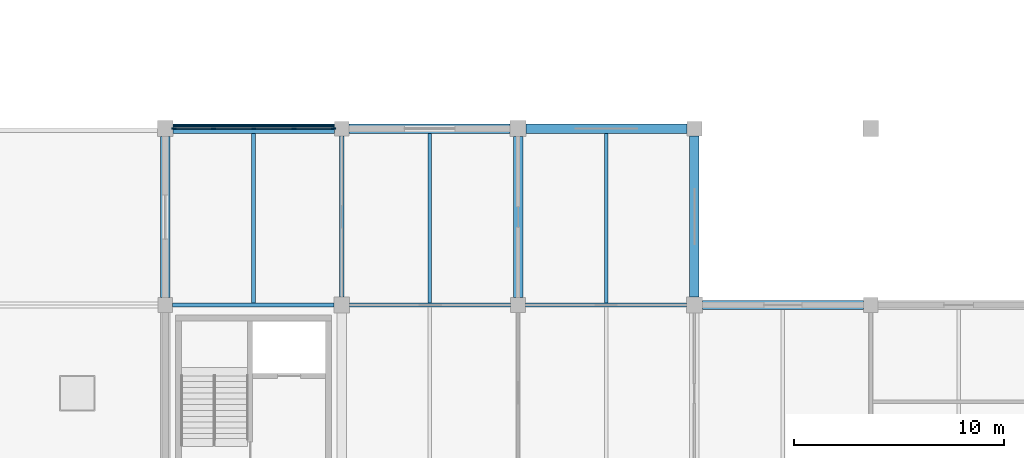
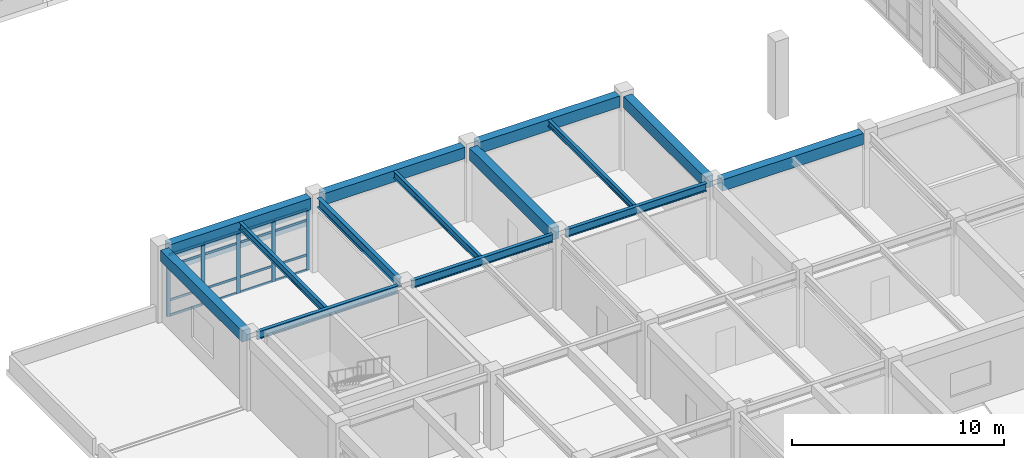
# One storey, part 10 of 78: 23 members, 14 beams, 1 element without a shape of its own.
"""IFC4 building model written with IfcOpenShell, lengths in metres."""

from ifc_helpers import new_model, si_unit, direction, frame, origin, origin_2d, place, context, subcontext, project, spatial, rectangle, i_section, extrude, material, layer, layer_set, material_profile, profile_set, type_object, element, aggregate, save


model = new_model("IFC4")

# Units and contexts
model_context = context("Model", 3, precision=1e-05, world=origin(), true_north=direction((0.0, 1.0)))
body_context = subcontext(model_context, "Body", "Model", "MODEL_VIEW")
ifc_project = project(units=[si_unit("LENGTHUNIT", "METRE"), si_unit("AREAUNIT", "SQUARE_METRE"), si_unit("VOLUMEUNIT", "CUBIC_METRE"), si_unit("PLANEANGLEUNIT", "RADIAN"), si_unit("MASSUNIT", "GRAM", prefix="KILO")], contexts=[model_context])

# Site, building, storey
site_placement = place(None, origin())
site = spatial("IfcSite", under=ifc_project, at=site_placement, CompositionType="ELEMENT")
building_placement = place(site_placement, origin())
building = spatial("IfcBuilding", under=site, at=building_placement, Name="Porcellanite Civic Hall", CompositionType="ELEMENT")
storey_placement = place(building_placement, frame((0.0, 0.0, 10.260009765625)))
storey = spatial("IfcBuildingStorey", under=building, at=storey_placement, Name="L02", CompositionType="ELEMENT", Elevation=10.260009765625)

# Beams
ifc_material_1 = material(Name="Concrete N50 (50 MPa)", Category="concrete")
ifc_material_profile_1 = material_profile(ifc_material_1, rectangle(XDim=0.449951171875, YDim=0.64990234375, at=origin_2d()), Name="RC-450x650")
ifc_profile_set_1 = profile_set([ifc_material_profile_1], Name="Concrete N50 (50 MPa)")
beam_type_1 = type_object("IfcBeamType", Name="BM-RC650", PredefinedType="SPANDREL", material=ifc_profile_set_1)
for number, where, z_axis, x_axis, name in (
    (1, (8.7744140625, 75.60009765625, 3.9150390625), (1.0, 0.0, 0.0), (0.0, 1.0, 0.0), "Beam X L02 2-10"),
    (2, (17.1494140625, 75.60009765625, 3.9150390625), (1.0, 0.0, 0.0), (0.0, 1.0, 0.0), "Beam X L02 3-10"),
    (3, (25.574462890625, 75.60009765625, 3.9150390625), (1.0, 0.0, 0.0), (0.0, 1.0, 0.0), "Beam X L02 4-10"),
):
    element("IfcBeam", number, at=place(storey_placement, frame(where, z_axis=z_axis, x_axis=x_axis)), inside=storey, type_object=beam_type_1, Name=name, PredefinedType="SPANDREL", context=body_context, shape_type="SweptSolid", body=[
        extrude(rectangle(XDim=0.449951171875, YDim=0.64990234375, at=origin_2d()), origin(), (0.0, 0.0, 1.0), 7.676025390625),
    ])
beam_1_placement = place(storey_placement, frame((33.974609375, 67.199951171875, 3.9150390625), z_axis=(1.0, 0.0, 0.0), x_axis=(0.0, 1.0, 0.0)))
element("IfcBeam", 4, at=beam_1_placement, inside=storey, type_object=beam_type_1, Name="Beam X L02 5-9", PredefinedType="SPANDREL", context=body_context, shape_type="SweptSolid", body=[
    extrude(rectangle(XDim=0.449951171875, YDim=0.64990234375, at=origin_2d()), origin(), (0.0, 0.0, 1.0), 7.67578125),
])
for number, where, z_axis, x_axis, name in (
    (5, (8.39990234375, 67.549560546875, 3.9150390625), (0.0, 1.0, 0.0), (-1.0, 0.0, 0.0), "Beam Y L02 2-9"),
    (6, (33.60009765625, 67.574462890625, 3.9150390625), (0.0, 1.0, 0.0), (-1.0, 0.0, 0.0), "Beam Y L02 5-9"),
):
    element("IfcBeam", number, at=place(storey_placement, frame(where, z_axis=z_axis, x_axis=x_axis)), inside=storey, type_object=beam_type_1, Name=name, PredefinedType="SPANDREL", context=body_context, shape_type="SweptSolid", body=[
        extrude(rectangle(XDim=0.449951171875, YDim=0.64990234375, at=origin_2d()), origin(), (0.0, 0.0, 1.0), 7.676025390625),
    ])
ifc_material_2 = material(Name="Concrete N50 (50 MPa)", Category="concrete")
ifc_material_profile_2 = material_profile(ifc_material_2, rectangle(XDim=0.449951171875, YDim=0.699951171875, at=origin_2d()), Name="RC-450x700")
ifc_profile_set_2 = profile_set([ifc_material_profile_2], Name="Concrete N50 (50 MPa)")
beam_type_2 = type_object("IfcBeamType", Name="BM-RC700", PredefinedType="BEAM", material=ifc_profile_set_2)
beam_2_placement = place(storey_placement, frame((25.199951171875, 67.549560546875, 3.889892578125), z_axis=(0.0, 1.0, 0.0), x_axis=(-1.0, 0.0, 0.0)))
element("IfcBeam", 7, at=beam_2_placement, inside=storey, type_object=beam_type_2, Name="Beam Y L02 4-9", PredefinedType="BEAM", context=body_context, shape_type="SweptSolid", body=[
    extrude(rectangle(XDim=0.449951171875, YDim=0.699951171875, at=origin_2d()), origin(), (0.0, 0.0, 1.0), 7.676025390625),
])

# Curtain wall, members
ifc_material_3 = material(Name="Anodised aluminium and solar laminated glass", Category="aluminium")
ifc_layer = layer(ifc_material_3, 0.179931640625)
ifc_layer_set = layer_set([ifc_layer], Name="Anodised aluminium and solar laminated glass")
curtain_wall_type = type_object("IfcCurtainWallType", Name="CW-SYS05", PredefinedType="NOTDEFINED", material=ifc_layer_set)
curtain_wall_placement = place(storey_placement, origin())
curtain_wall = element("IfcCurtainWall", 8, at=curtain_wall_placement, inside=storey, type_object=curtain_wall_type, Name="Curtain wall CW-134", PredefinedType="NOTDEFINED")
ifc_material_4 = material(Name="Anodised aluminium 6063-T6", Category="aluminium")
ifc_material_profile_3 = material_profile(ifc_material_4, rectangle(XDim=0.070068359375, YDim=0.199951171875, at=origin_2d()), Name="AL-70x200")
ifc_profile_set_3 = profile_set([ifc_material_profile_3], Name="Anodised aluminium 6063-T6")
member_type_1 = type_object("IfcMemberType", Name="CWM-05", PredefinedType="MULLION", material=ifc_profile_set_3)
member_1_placement = place(storey_placement, frame((8.81103515625, 75.60009765625, 0.0), z_axis=(0.0, 0.0, 1.0), x_axis=(0.0, 1.0, 0.0)))
member_1 = element("IfcMember", 9, at=member_1_placement, type_object=member_type_1, Name="CW-134 mullion 1", PredefinedType="MULLION", context=body_context, shape_type="SweptSolid", body=[
    extrude(rectangle(XDim=0.070068359375, YDim=0.199951171875, at=origin_2d()), origin(), (0.0, 0.0, 1.0), 3.5400390625),
])
member_2_placement = place(storey_placement, frame((10.6943359375, 75.60009765625, 0.0), z_axis=(0.0, 0.0, 1.0), x_axis=(0.0, 1.0, 0.0)))
member_2 = element("IfcMember", 10, at=member_2_placement, type_object=member_type_1, Name="CW-134 mullion 2", PredefinedType="MULLION", context=body_context, shape_type="SweptSolid", body=[
    extrude(rectangle(XDim=0.070068359375, YDim=0.199951171875, at=origin_2d()), origin(), (0.0, 0.0, 1.0), 3.5400390625),
])
member_3_placement = place(storey_placement, frame((12.612548828125, 75.60009765625, 0.0), z_axis=(0.0, 0.0, 1.0), x_axis=(0.0, 1.0, 0.0)))
member_3 = element("IfcMember", 11, at=member_3_placement, type_object=member_type_1, Name="CW-134 mullion 3", PredefinedType="MULLION", context=body_context, shape_type="SweptSolid", body=[
    extrude(rectangle(XDim=0.070068359375, YDim=0.199951171875, at=origin_2d()), origin(), (0.0, 0.0, 1.0), 3.5400390625),
])
member_4_placement = place(storey_placement, frame((14.53076171875, 75.60009765625, 0.0), z_axis=(0.0, 0.0, 1.0), x_axis=(0.0, 1.0, 0.0)))
member_4 = element("IfcMember", 12, at=member_4_placement, type_object=member_type_1, Name="CW-134 mullion 4", PredefinedType="MULLION", context=body_context, shape_type="SweptSolid", body=[
    extrude(rectangle(XDim=0.070068359375, YDim=0.199951171875, at=origin_2d()), origin(), (0.0, 0.0, 1.0), 3.5400390625),
])
member_5_placement = place(storey_placement, frame((16.4140625, 75.60009765625, 0.0), z_axis=(0.0, 0.0, 1.0), x_axis=(0.0, 1.0, 0.0)))
member_5 = element("IfcMember", 13, at=member_5_placement, type_object=member_type_1, Name="CW-134 mullion 5", PredefinedType="MULLION", context=body_context, shape_type="SweptSolid", body=[
    extrude(rectangle(XDim=0.070068359375, YDim=0.199951171875, at=origin_2d()), origin(), (0.0, 0.0, 1.0), 3.5400390625),
])
ifc_material_5 = material(Name="Anodised aluminium 6063-T6", Category="aluminium")
ifc_material_profile_4 = material_profile(ifc_material_5, rectangle(XDim=0.06005859375, YDim=0.1298828125, at=origin_2d()), Name="AL-60x130")
ifc_profile_set_4 = profile_set([ifc_material_profile_4], Name="Anodised aluminium 6063-T6")
member_type_2 = type_object("IfcMemberType", Name="CWT-03", PredefinedType="USERDEFINED", material=ifc_profile_set_4)
member_6_placement = place(storey_placement, frame((8.845947265625, 75.60009765625, 0.030029296875), z_axis=(1.0, 0.0, 0.0), x_axis=(0.0, 1.0, 0.0)))
member_6 = element("IfcMember", 14, at=member_6_placement, type_object=member_type_2, Name="CW-134 transom 1.1", ObjectType="TRANSOM", PredefinedType="USERDEFINED", context=body_context, shape_type="SweptSolid", body=[
    extrude(rectangle(XDim=0.06005859375, YDim=0.1298828125, at=origin_2d()), origin(), (0.0, 0.0, 1.0), 1.813232421875),
])
member_7_placement = place(storey_placement, frame((8.845947265625, 75.60009765625, 0.89990234375), z_axis=(1.0, 0.0, 0.0), x_axis=(0.0, 1.0, 0.0)))
member_7 = element("IfcMember", 15, at=member_7_placement, type_object=member_type_2, Name="CW-134 transom 1.2", ObjectType="TRANSOM", PredefinedType="USERDEFINED", context=body_context, shape_type="SweptSolid", body=[
    extrude(rectangle(XDim=0.06005859375, YDim=0.1298828125, at=origin_2d()), origin(), (0.0, 0.0, 1.0), 1.813232421875),
])
member_8_placement = place(storey_placement, frame((8.845947265625, 75.60009765625, 2.889892578125), z_axis=(1.0, 0.0, 0.0), x_axis=(0.0, 1.0, 0.0)))
member_8 = element("IfcMember", 16, at=member_8_placement, type_object=member_type_2, Name="CW-134 transom 1.3", ObjectType="TRANSOM", PredefinedType="USERDEFINED", context=body_context, shape_type="SweptSolid", body=[
    extrude(rectangle(XDim=0.06005859375, YDim=0.1298828125, at=origin_2d()), origin(), (0.0, 0.0, 1.0), 1.813232421875),
])
member_9_placement = place(storey_placement, frame((8.845947265625, 75.60009765625, 3.510009765625), z_axis=(1.0, 0.0, 0.0), x_axis=(0.0, 1.0, 0.0)))
member_9 = element("IfcMember", 17, at=member_9_placement, type_object=member_type_2, Name="CW-134 transom 1.4", ObjectType="TRANSOM", PredefinedType="USERDEFINED", context=body_context, shape_type="SweptSolid", body=[
    extrude(rectangle(XDim=0.06005859375, YDim=0.1298828125, at=origin_2d()), origin(), (0.0, 0.0, 1.0), 1.813232421875),
])
member_10_placement = place(storey_placement, frame((10.729248046875, 75.60009765625, 0.030029296875), z_axis=(1.0, 0.0, 0.0), x_axis=(0.0, 1.0, 0.0)))
member_10 = element("IfcMember", 18, at=member_10_placement, type_object=member_type_2, Name="CW-134 transom 2.1", ObjectType="TRANSOM", PredefinedType="USERDEFINED", context=body_context, shape_type="SweptSolid", body=[
    extrude(rectangle(XDim=0.06005859375, YDim=0.1298828125, at=origin_2d()), origin(), (0.0, 0.0, 1.0), 1.84814453125),
])
member_11_placement = place(storey_placement, frame((10.729248046875, 75.60009765625, 0.89990234375), z_axis=(1.0, 0.0, 0.0), x_axis=(0.0, 1.0, 0.0)))
member_11 = element("IfcMember", 19, at=member_11_placement, type_object=member_type_2, Name="CW-134 transom 2.2", ObjectType="TRANSOM", PredefinedType="USERDEFINED", context=body_context, shape_type="SweptSolid", body=[
    extrude(rectangle(XDim=0.06005859375, YDim=0.1298828125, at=origin_2d()), origin(), (0.0, 0.0, 1.0), 1.84814453125),
])
member_12_placement = place(storey_placement, frame((10.729248046875, 75.60009765625, 2.889892578125), z_axis=(1.0, 0.0, 0.0), x_axis=(0.0, 1.0, 0.0)))
member_12 = element("IfcMember", 20, at=member_12_placement, type_object=member_type_2, Name="CW-134 transom 2.3", ObjectType="TRANSOM", PredefinedType="USERDEFINED", context=body_context, shape_type="SweptSolid", body=[
    extrude(rectangle(XDim=0.06005859375, YDim=0.1298828125, at=origin_2d()), origin(), (0.0, 0.0, 1.0), 1.84814453125),
])
member_13_placement = place(storey_placement, frame((10.729248046875, 75.60009765625, 3.510009765625), z_axis=(1.0, 0.0, 0.0), x_axis=(0.0, 1.0, 0.0)))
member_13 = element("IfcMember", 21, at=member_13_placement, type_object=member_type_2, Name="CW-134 transom 2.4", ObjectType="TRANSOM", PredefinedType="USERDEFINED", context=body_context, shape_type="SweptSolid", body=[
    extrude(rectangle(XDim=0.06005859375, YDim=0.1298828125, at=origin_2d()), origin(), (0.0, 0.0, 1.0), 1.84814453125),
])
member_14_placement = place(storey_placement, frame((12.6474609375, 75.60009765625, 0.030029296875), z_axis=(1.0, 0.0, 0.0), x_axis=(0.0, 1.0, 0.0)))
member_14 = element("IfcMember", 22, at=member_14_placement, type_object=member_type_2, Name="CW-134 transom 3.1", ObjectType="TRANSOM", PredefinedType="USERDEFINED", context=body_context, shape_type="SweptSolid", body=[
    extrude(rectangle(XDim=0.06005859375, YDim=0.1298828125, at=origin_2d()), origin(), (0.0, 0.0, 1.0), 1.848388671875),
])
member_15_placement = place(storey_placement, frame((12.6474609375, 75.60009765625, 0.89990234375), z_axis=(1.0, 0.0, 0.0), x_axis=(0.0, 1.0, 0.0)))
member_15 = element("IfcMember", 23, at=member_15_placement, type_object=member_type_2, Name="CW-134 transom 3.2", ObjectType="TRANSOM", PredefinedType="USERDEFINED", context=body_context, shape_type="SweptSolid", body=[
    extrude(rectangle(XDim=0.06005859375, YDim=0.1298828125, at=origin_2d()), origin(), (0.0, 0.0, 1.0), 1.848388671875),
])
member_16_placement = place(storey_placement, frame((12.6474609375, 75.60009765625, 2.889892578125), z_axis=(1.0, 0.0, 0.0), x_axis=(0.0, 1.0, 0.0)))
member_16 = element("IfcMember", 24, at=member_16_placement, type_object=member_type_2, Name="CW-134 transom 3.3", ObjectType="TRANSOM", PredefinedType="USERDEFINED", context=body_context, shape_type="SweptSolid", body=[
    extrude(rectangle(XDim=0.06005859375, YDim=0.1298828125, at=origin_2d()), origin(), (0.0, 0.0, 1.0), 1.848388671875),
])
member_17_placement = place(storey_placement, frame((12.6474609375, 75.60009765625, 3.510009765625), z_axis=(1.0, 0.0, 0.0), x_axis=(0.0, 1.0, 0.0)))
member_17 = element("IfcMember", 25, at=member_17_placement, type_object=member_type_2, Name="CW-134 transom 3.4", ObjectType="TRANSOM", PredefinedType="USERDEFINED", context=body_context, shape_type="SweptSolid", body=[
    extrude(rectangle(XDim=0.06005859375, YDim=0.1298828125, at=origin_2d()), origin(), (0.0, 0.0, 1.0), 1.848388671875),
])
member_18_placement = place(storey_placement, frame((14.565673828125, 75.60009765625, 0.030029296875), z_axis=(1.0, 0.0, 0.0), x_axis=(0.0, 1.0, 0.0)))
member_18 = element("IfcMember", 26, at=member_18_placement, type_object=member_type_2, Name="CW-134 transom 4.1", ObjectType="TRANSOM", PredefinedType="USERDEFINED", context=body_context, shape_type="SweptSolid", body=[
    extrude(rectangle(XDim=0.06005859375, YDim=0.1298828125, at=origin_2d()), origin(), (0.0, 0.0, 1.0), 1.813232421875),
])
member_19_placement = place(storey_placement, frame((14.565673828125, 75.60009765625, 0.89990234375), z_axis=(1.0, 0.0, 0.0), x_axis=(0.0, 1.0, 0.0)))
member_19 = element("IfcMember", 27, at=member_19_placement, type_object=member_type_2, Name="CW-134 transom 4.2", ObjectType="TRANSOM", PredefinedType="USERDEFINED", context=body_context, shape_type="SweptSolid", body=[
    extrude(rectangle(XDim=0.06005859375, YDim=0.1298828125, at=origin_2d()), origin(), (0.0, 0.0, 1.0), 1.813232421875),
])
member_20_placement = place(storey_placement, frame((14.565673828125, 75.60009765625, 2.889892578125), z_axis=(1.0, 0.0, 0.0), x_axis=(0.0, 1.0, 0.0)))
member_20 = element("IfcMember", 28, at=member_20_placement, type_object=member_type_2, Name="CW-134 transom 4.3", ObjectType="TRANSOM", PredefinedType="USERDEFINED", context=body_context, shape_type="SweptSolid", body=[
    extrude(rectangle(XDim=0.06005859375, YDim=0.1298828125, at=origin_2d()), origin(), (0.0, 0.0, 1.0), 1.813232421875),
])
member_21_placement = place(storey_placement, frame((14.565673828125, 75.60009765625, 3.510009765625), z_axis=(1.0, 0.0, 0.0), x_axis=(0.0, 1.0, 0.0)))
member_21 = element("IfcMember", 29, at=member_21_placement, type_object=member_type_2, Name="CW-134 transom 4.4", ObjectType="TRANSOM", PredefinedType="USERDEFINED", context=body_context, shape_type="SweptSolid", body=[
    extrude(rectangle(XDim=0.06005859375, YDim=0.1298828125, at=origin_2d()), origin(), (0.0, 0.0, 1.0), 1.813232421875),
])
aggregate(curtain_wall, [member_1, member_2, member_3, member_4, member_5, member_6, member_7, member_8, member_9, member_10, member_11, member_12, member_13, member_14, member_15, member_16, member_17, member_18, member_19, member_20, member_21])

# Beams
ifc_material_6 = material(Name="Steel Grade 350", Category="steel")
ifc_material_profile_5 = material_profile(ifc_material_6, i_section(OverallWidth=0.172119140625, OverallDepth=0.35888671875, WebThickness=0.008056640625, FlangeThickness=0.012939453125, FilletRadius=0.011474609375, at=origin_2d()), Name="360UB56.7")
ifc_profile_set_5 = profile_set([ifc_material_profile_5], Name="Steel Grade 350")
beam_type_3 = type_object("IfcBeamType", Name="JST-360UB57", PredefinedType="JOIST", material=ifc_profile_set_5)
beam_3_placement = place(storey_placement, frame((29.39990234375, 67.29443359375, 4.060546875), z_axis=(0.0, 1.0, 0.0), x_axis=(-1.0, 0.0, 0.0)))
element("IfcBeam", 30, at=beam_3_placement, inside=storey, type_object=beam_type_3, Name="Secondary joist L02 4-9", PredefinedType="JOIST", context=body_context, shape_type="SweptSolid", body=[
    extrude(i_section(OverallWidth=0.172119140625, OverallDepth=0.35888671875, WebThickness=0.008056640625, FlangeThickness=0.012939453125, FilletRadius=0.011474609375, at=origin_2d()), origin(), (0.0, 0.0, 1.0), 8.0810546875),
])
ifc_material_7 = material(Name="Steel Grade 350", Category="steel")
ifc_material_profile_6 = material_profile(ifc_material_7, i_section(OverallWidth=0.177978515625, OverallDepth=0.403076171875, WebThickness=0.007568359375, FlangeThickness=0.010986328125, FilletRadius=0.011474609375, at=origin_2d()), Name="410UB53.7")
ifc_profile_set_6 = profile_set([ifc_material_profile_6], Name="Steel Grade 350")
beam_type_4 = type_object("IfcBeamType", Name="JST-410UB54", PredefinedType="JOIST", material=ifc_profile_set_6)
beam_4_placement = place(storey_placement, frame((21.0, 67.29443359375, 4.03857421875), z_axis=(0.0, 1.0, 0.0), x_axis=(-1.0, 0.0, 0.0)))
element("IfcBeam", 31, at=beam_4_placement, inside=storey, type_object=beam_type_4, Name="Secondary joist L02 3-9", PredefinedType="JOIST", context=body_context, shape_type="SweptSolid", body=[
    extrude(i_section(OverallWidth=0.177978515625, OverallDepth=0.403076171875, WebThickness=0.007568359375, FlangeThickness=0.010986328125, FilletRadius=0.011474609375, at=origin_2d()), origin(), (0.0, 0.0, 1.0), 8.0810546875),
])
ifc_material_8 = material(Name="Steel Grade 350", Category="steel")
ifc_material_profile_7 = material_profile(ifc_material_8, i_section(OverallWidth=0.177978515625, OverallDepth=0.406005859375, WebThickness=0.0078125, FlangeThickness=0.0126953125, FilletRadius=0.011474609375, at=origin_2d()), Name="410UB59.7")
ifc_profile_set_7 = profile_set([ifc_material_profile_7], Name="Steel Grade 350")
beam_type_5 = type_object("IfcBeamType", Name="JST-410UB60", PredefinedType="JOIST", material=ifc_profile_set_7)
beam_5_placement = place(storey_placement, frame((12.60009765625, 67.29443359375, 4.037109375), z_axis=(0.0, 1.0, 0.0), x_axis=(-1.0, 0.0, 0.0)))
element("IfcBeam", 32, at=beam_5_placement, inside=storey, type_object=beam_type_5, Name="Secondary joist L02 2-9", PredefinedType="JOIST", context=body_context, shape_type="SweptSolid", body=[
    extrude(i_section(OverallWidth=0.177978515625, OverallDepth=0.406005859375, WebThickness=0.0078125, FlangeThickness=0.0126953125, FilletRadius=0.011474609375, at=origin_2d()), origin(), (0.0, 0.0, 1.0), 8.0810546875),
])

# Members
ifc_material_9 = material(Name="Fluoropolymer bauxite-red aluminium 6063-T6", Category="aluminium")
ifc_material_profile_8 = material_profile(ifc_material_9, rectangle(XDim=0.070068359375, YDim=0.280029296875, at=origin_2d()), Name="AL-70x280")
ifc_profile_set_8 = profile_set([ifc_material_profile_8], Name="Fluoropolymer bauxite-red aluminium 6063-T6")
member_type_3 = type_object("IfcMemberType", Name="LV-BLD05", PredefinedType="USERDEFINED", material=ifc_profile_set_8)
for number, where, z_axis, x_axis, name in (
    (33, (8.7744140625, 75.737060546875, 3.239990234375), (1.0, 0.0, 0.0), (0.0, 1.0, 0.0), "Cyclone sunshade louvre L02 N 1-8 1"),
    (34, (8.7744140625, 75.737060546875, 2.590087890625), (1.0, 0.0, 0.0), (0.0, 1.0, 0.0), "Cyclone sunshade louvre L02 N 1-8 2"),
):
    element("IfcMember", number, at=place(storey_placement, frame(where, z_axis=z_axis, x_axis=x_axis)), inside=storey, type_object=member_type_3, Name=name, ObjectType="LOUVRE BLADE", PredefinedType="USERDEFINED", context=body_context, shape_type="SweptSolid", body=[
        extrude(rectangle(XDim=0.070068359375, YDim=0.280029296875, at=origin_2d()), origin(), (0.0, 0.0, 1.0), 7.676025390625),
    ])

# Beams
ifc_material_10 = material(Name="Steel Grade 350", Category="steel")
ifc_material_profile_9 = material_profile(ifc_material_10, i_section(OverallWidth=0.18994140625, OverallDepth=0.4541015625, WebThickness=0.008544921875, FlangeThickness=0.0126953125, FilletRadius=0.011474609375, at=origin_2d()), Name="460UB67.1")
ifc_profile_set_9 = profile_set([ifc_material_profile_9], Name="Steel Grade 350")
beam_type_6 = type_object("IfcBeamType", Name="RAF-460UB67", PredefinedType="BEAM", material=ifc_profile_set_9)
for number, where, z_axis, x_axis, name in (
    (35, (8.74951171875, 67.199951171875, 4.012939453125), (1.0, 0.0, 0.0), (0.0, 1.0, 0.0), "Beam X L02 2-9"),
    (36, (17.174560546875, 67.199951171875, 4.012939453125), (1.0, 0.0, 0.0), (0.0, 1.0, 0.0), "Beam X L02 3-9"),
    (37, (25.549560546875, 67.199951171875, 4.012939453125), (1.0, 0.0, 0.0), (0.0, 1.0, 0.0), "Beam X L02 4-9"),
):
    element("IfcBeam", number, at=place(storey_placement, frame(where, z_axis=z_axis, x_axis=x_axis)), inside=storey, type_object=beam_type_6, Name=name, PredefinedType="BEAM", context=body_context, shape_type="SweptSolid", body=[
        extrude(i_section(OverallWidth=0.18994140625, OverallDepth=0.4541015625, WebThickness=0.008544921875, FlangeThickness=0.0126953125, FilletRadius=0.011474609375, at=origin_2d()), origin(), (0.0, 0.0, 1.0), 7.676025390625),
    ])
ifc_material_11 = material(Name="Steel Grade 350", Category="steel")
ifc_material_profile_10 = material_profile(ifc_material_11, i_section(OverallWidth=0.208984375, OverallDepth=0.528076171875, WebThickness=0.009521484375, FlangeThickness=0.01318359375, FilletRadius=0.013916015625, at=origin_2d()), Name="530UB82.0")
ifc_profile_set_10 = profile_set([ifc_material_profile_10], Name="Steel Grade 350")
beam_type_7 = type_object("IfcBeamType", Name="RAF-530UB82", PredefinedType="BEAM", material=ifc_profile_set_10)
beam_6_placement = place(storey_placement, frame((16.800048828125, 67.574462890625, 3.97607421875), z_axis=(0.0, 1.0, 0.0), x_axis=(-1.0, 0.0, 0.0)))
element("IfcBeam", 38, at=beam_6_placement, inside=storey, type_object=beam_type_7, Name="Beam Y L02 3-9", PredefinedType="BEAM", context=body_context, shape_type="SweptSolid", body=[
    extrude(i_section(OverallWidth=0.208984375, OverallDepth=0.528076171875, WebThickness=0.009521484375, FlangeThickness=0.01318359375, FilletRadius=0.013916015625, at=origin_2d()), origin(), (0.0, 0.0, 1.0), 7.676025390625),
])

save(model, "model.ifc")
